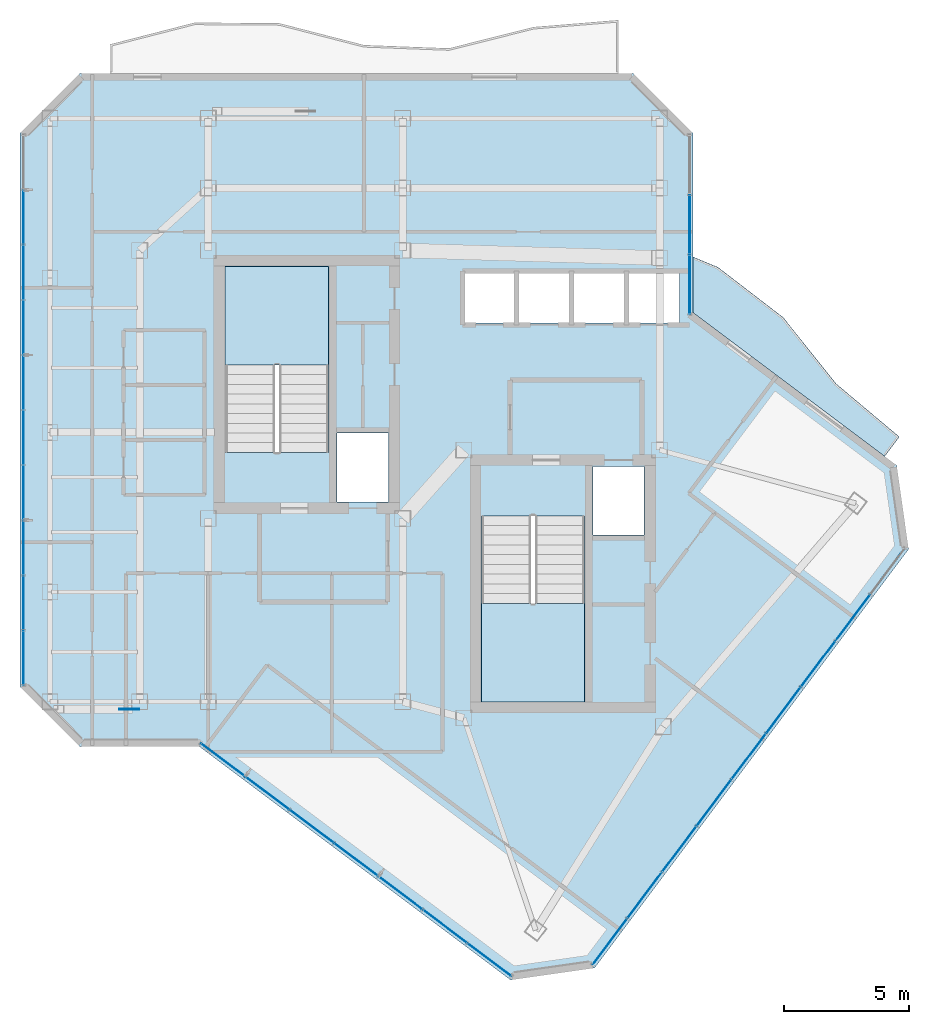
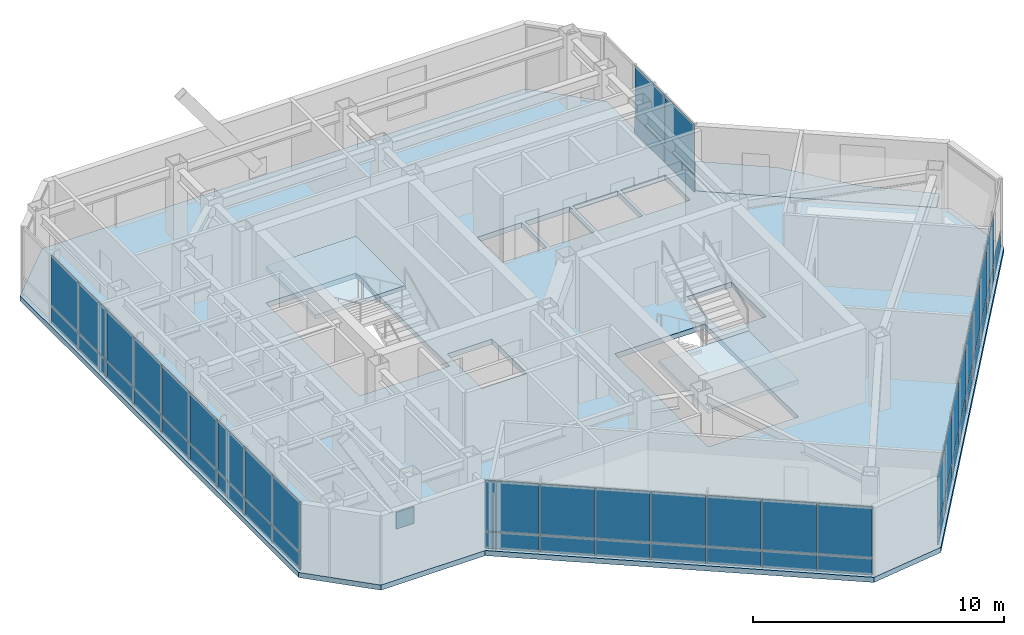
# One storey, part 16 of 22: 54 plates, 4 slabs, 6 elements without a shape of their own.
"""IFC4 building model written with IfcOpenShell, lengths in metres."""

import ifcopenshell
import ifcopenshell.guid

model = None  # the IFC model being written
_history = None  # IfcOwnerHistory: only IFC2X3 demands one
_inside = {}  # id of a spatial element -> (the spatial element, [elements in it])
_under = {}  # id of a project, library or spatial element -> (it, [spatial elements below it])
_declared = {}  # id of a project -> (the project, [libraries it declares])
_typed = {}  # id of a type object -> (the type object, [elements of that type])
_made_of = {}  # id of a material, layer set ... -> (it, [elements and type objects made of it])


def new_model(schema):
    """Start an empty IFC model of exactly this schema.

    Asked for "IFC4X3", IfcOpenShell would pick the latest addendum, in which some entities
    have other attributes; the version numbers below select the first issue.
    IFC2X3 requires an IfcOwnerHistory on every rooted entity: one is made here for all.
    """
    global model, _history
    if schema == "IFC4X3":
        model = ifcopenshell.file(schema_version=(4, 3, 0, 0))
    else:
        model = ifcopenshell.file(schema=schema)
    _inside.clear()
    _under.clear()
    _declared.clear()
    _typed.clear()
    _made_of.clear()
    _history = None
    if model.schema == "IFC2X3":
        org = make("IfcOrganization", Name="unknown")
        user = make(
            "IfcPersonAndOrganization",
            ThePerson=make("IfcPerson", FamilyName="unknown"),
            TheOrganization=org,
        )
        app = make(
            "IfcApplication",
            ApplicationDeveloper=org,
            Version="unknown",
            ApplicationFullName="unknown",
            ApplicationIdentifier="unknown",
        )
        _history = make(
            "IfcOwnerHistory",
            OwningUser=user,
            OwningApplication=app,
            ChangeAction="ADDED",
            CreationDate=0,
        )
    return model


def make(cls, **values):
    """One entity of the class cls with the attributes given. An attribute that is None is left unset."""
    return model.create_entity(
        cls, **{name: value for name, value in values.items() if value is not None}
    )


def rooted(cls, **values):
    """An entity with a GlobalId (a new one), such as an element, a storey or a relation."""
    return make(cls, GlobalId=ifcopenshell.guid.new(), OwnerHistory=_history, **values)


def si_unit(unit_type, name, prefix=None):
    """IfcSIUnit, for example si_unit("LENGTHUNIT", "METRE", prefix="MILLI")."""
    return make("IfcSIUnit", UnitType=unit_type, Prefix=prefix, Name=name)


def assignment(units):
    """IfcUnitAssignment: the units of a project."""
    return None if units is None else make("IfcUnitAssignment", Units=units)


def point(xyz):
    """IfcCartesianPoint."""
    return None if xyz is None else make("IfcCartesianPoint", Coordinates=xyz)


def direction(xyz):
    """IfcDirection."""
    return None if xyz is None else make("IfcDirection", DirectionRatios=xyz)


def frame(location, z_axis=None, x_axis=None):
    """IfcAxis2Placement3D, a coordinate frame: its origin and axes. An axis left out is left unset."""
    return make(
        "IfcAxis2Placement3D",
        Location=point(location),
        Axis=direction(z_axis),
        RefDirection=direction(x_axis),
    )


def frame_2d(location, x_axis=None):
    """IfcAxis2Placement2D, a coordinate frame in the plane: its origin and x axis."""
    return make(
        "IfcAxis2Placement2D", Location=point(location), RefDirection=direction(x_axis)
    )


def origin():
    """The frame at (0, 0, 0) with its axes left unset."""
    return frame((0.0, 0.0, 0.0))


def origin_2d():
    """The frame at (0, 0) in the plane with its x axis left unset."""
    return frame_2d((0.0, 0.0))


def place(relative_to, where):
    """IfcLocalPlacement: puts the frame where relative to a parent placement (None: the world)."""
    return make(
        "IfcLocalPlacement", PlacementRelTo=relative_to, RelativePlacement=where
    )


def context(
    kind, dimensions, precision=None, world=None, true_north=None, identifier=None
):
    """IfcGeometricRepresentationContext, for example the 3D "Model" context."""
    return make(
        "IfcGeometricRepresentationContext",
        ContextIdentifier=identifier,
        ContextType=kind,
        CoordinateSpaceDimension=dimensions,
        Precision=precision,
        WorldCoordinateSystem=world,
        TrueNorth=true_north,
    )


def subcontext(parent, identifier, kind, view, scale=None):
    """IfcGeometricRepresentationSubContext, for example "Body" below "Model"."""
    return make(
        "IfcGeometricRepresentationSubContext",
        ContextIdentifier=identifier,
        ContextType=kind,
        ParentContext=parent,
        TargetScale=scale,
        TargetView=view,
    )


def project(units=None, contexts=None):
    """IfcProject with its units and contexts."""
    return rooted(
        "IfcProject",
        Name="project",
        RepresentationContexts=contexts,
        UnitsInContext=assignment(units),
    )


def spatial(cls, under=None, at=None, **own):
    """A site, building, storey or space (cls), placed at a placement, below another one or the project."""
    s = rooted(cls, ObjectPlacement=at, **own)
    if under is not None:
        _under.setdefault(under.id(), (under, []))[1].append(s)
    return s


def polyline(points):
    """IfcPolyline through the points."""
    return make("IfcPolyline", Points=[point(p) for p in points])


def profile(cls, at=None, kind="AREA", **sizes):
    """A parametric profile (cls). Its sizes go by their IFC names, for example OverallWidth=200.0."""
    return make(cls, ProfileType=kind, Position=at, **sizes)


def rectangle(**sizes):
    """IfcRectangleProfileDef."""
    return profile("IfcRectangleProfileDef", **sizes)


def outline(outer, holes=None, kind="AREA"):
    """IfcArbitraryClosedProfileDef: a profile drawn as a closed curve; with holes, ...WithVoids."""
    if holes is None:
        return make("IfcArbitraryClosedProfileDef", ProfileType=kind, OuterCurve=outer)
    return make(
        "IfcArbitraryProfileDefWithVoids",
        ProfileType=kind,
        OuterCurve=outer,
        InnerCurves=holes,
    )


def extrude(swept, where, along, depth):
    """IfcExtrudedAreaSolid: the profile swept, set in the frame where, extruded along a direction by depth."""
    return make(
        "IfcExtrudedAreaSolid",
        SweptArea=swept,
        Position=where,
        ExtrudedDirection=direction(along),
        Depth=depth,
    )


def shape(context_of_items, identifier, shape_type, items):
    """IfcShapeRepresentation: the items that make up one representation, for example the "Body"."""
    return make(
        "IfcShapeRepresentation",
        ContextOfItems=context_of_items,
        RepresentationIdentifier=identifier,
        RepresentationType=shape_type,
        Items=items,
    )


def material(Name=None, Category=None):
    """IfcMaterial."""
    return make("IfcMaterial", Name=Name, Category=Category)


def layer(
    of_material, thickness, ventilated=None, Name=None, Category=None, Priority=None
):
    """IfcMaterialLayer: one layer of a wall or slab, of a material (None: an air gap)."""
    return make(
        "IfcMaterialLayer",
        Material=of_material,
        LayerThickness=thickness,
        IsVentilated=ventilated,
        Name=Name,
        Category=Category,
        Priority=Priority,
    )


def layer_set(layers, Name=None):
    """IfcMaterialLayerSet."""
    return make("IfcMaterialLayerSet", MaterialLayers=layers, LayerSetName=Name)


def made_of(thing, what):
    """Note that an element or type object is made of a material, layer set ...; save() writes the relation."""
    if what is not None:
        _made_of.setdefault(what.id(), (what, []))[1].append(thing)
    return thing


def type_object(cls, material=None, **own):
    """A type object (cls), such as IfcWallType, which elements share."""
    return made_of(rooted(cls, **own), material)


def element(
    cls,
    number,
    at=None,
    inside=None,
    cuts=None,
    type_object=None,
    material=None,
    context=None,
    identifier="Body",
    shape_type=None,
    held_by="IfcProductDefinitionShape",
    body=None,
    shapes=None,
    **own,
):
    """One element of the class cls, such as IfcWall. Its Tag is "e" and its number.

    at: its placement. inside: the storey or other place that contains it. cuts: it is an
    opening in that element (IfcRelVoidsElement). A single representation is given by context,
    identifier, shape_type and body (its items); several are given by shapes. held_by: the class
    of the entity that holds the representations. save() writes the other relations.
    """
    e = rooted(cls, Tag="e%d" % number, ObjectPlacement=at, **own)
    if body is not None:
        shapes = [shape(context, identifier, shape_type, body)]
    if shapes is not None:
        e.Representation = make(held_by, Representations=shapes)
    if inside is not None:
        _inside.setdefault(inside.id(), (inside, []))[1].append(e)
    if cuts is not None:
        rooted(
            "IfcRelVoidsElement", RelatingBuildingElement=cuts, RelatedOpeningElement=e
        )
    if type_object is not None:
        _typed.setdefault(type_object.id(), (type_object, []))[1].append(e)
    return made_of(e, material)


def aggregate(whole, parts):
    """IfcRelAggregates: a whole, such as a stair, and the parts it consists of."""
    return rooted("IfcRelAggregates", RelatingObject=whole, RelatedObjects=parts)


def save(model, path):
    """Write the relations noted so far, then the file.

    IfcRelAggregates (storeys below a building ...), IfcRelContainedInSpatialStructure (elements
    in a storey), IfcRelDefinesByType, IfcRelAssociatesMaterial and IfcRelDeclares: one each for
    every whole, place, type object, material and project.
    """
    for whole, parts in _under.values():
        aggregate(whole, parts)
    for where, things in _inside.values():
        rooted(
            "IfcRelContainedInSpatialStructure",
            RelatedElements=things,
            RelatingStructure=where,
        )
    for kind, things in _typed.values():
        rooted("IfcRelDefinesByType", RelatedObjects=things, RelatingType=kind)
    for what, things in _made_of.values():
        rooted("IfcRelAssociatesMaterial", RelatedObjects=things, RelatingMaterial=what)
    for by, libraries in _declared.values():
        rooted("IfcRelDeclares", RelatingContext=by, RelatedDefinitions=libraries)
    model.write(path)


model = new_model("IFC4")

# Units and contexts
model_context = context("Model", 3, precision=1e-05, world=origin(), true_north=direction((0.0, 1.0)))
body_context = subcontext(model_context, "Body", "Model", "MODEL_VIEW")
ifc_project = project(units=[si_unit("LENGTHUNIT", "METRE"), si_unit("AREAUNIT", "SQUARE_METRE"), si_unit("VOLUMEUNIT", "CUBIC_METRE"), si_unit("PLANEANGLEUNIT", "RADIAN"), si_unit("MASSUNIT", "GRAM", prefix="KILO")], contexts=[model_context])

# Site, building, storey
site_placement = place(None, origin())
site = spatial("IfcSite", under=ifc_project, at=site_placement, CompositionType="ELEMENT")
building_placement = place(site_placement, origin())
building = spatial("IfcBuilding", under=site, at=building_placement, Name="Hatsunagi Terrace Concourse", CompositionType="ELEMENT")
storey_placement = place(building_placement, frame((0.0, 0.0, 243.14990234375)))
storey = spatial("IfcBuildingStorey", under=building, at=storey_placement, Name="L64", CompositionType="ELEMENT", Elevation=243.14990234375)

# Curtain wall, plates
ifc_material_1 = material(Name="Anodised Aluminium Alloy 6063-T5", Category="aluminium")
ifc_layer_1 = layer(ifc_material_1, 0.199951171875)
ifc_layer_set_1 = layer_set([ifc_layer_1], Name="OfficeZone2_CW04")
curtain_wall_type = type_object("IfcCurtainWallType", Name="OfficeZone2_CW04", PredefinedType="NOTDEFINED", material=ifc_layer_set_1)
curtain_wall_1_placement = place(storey_placement, origin())
curtain_wall_1 = element("IfcCurtainWall", 1, at=curtain_wall_1_placement, inside=storey, type_object=curtain_wall_type, Name="Unitised Curtain Wall CW-04 CW-L64-03", PredefinedType="NOTDEFINED")
ifc_material_2 = material(Name="Warm Terracotta Ceramic Spandrel Panel", Category="masonry")
ifc_layer_2 = layer(ifc_material_2, 0.031982421875)
ifc_layer_set_2 = layer_set([ifc_layer_2], Name="CurtainWallSpandrelPanel_32")
plate_type_1 = type_object("IfcPlateType", Name="CurtainWallSpandrelPanel_32", PredefinedType="SHEET", material=ifc_layer_set_2)
plate_1_placement = place(storey_placement, frame((52.797119140625, 30.429931640625, 0.030029296875), z_axis=(0.0, 0.0, 1.0), x_axis=(-0.599969314634, -0.800023013105, 0.0)))
plate_1 = element("IfcPlate", 2, at=plate_1_placement, type_object=plate_type_1, Name="Terracotta Spandrel Panel SPN-01", PredefinedType="SHEET", context=body_context, shape_type="SweptSolid", body=[
    extrude(rectangle(XDim=2.264892578125, YDim=0.031982421875, at=origin_2d()), origin(), (0.0, 0.0, 1.0), 0.7900390625),
])
plate_2_placement = place(storey_placement, frame((51.405029296875, 28.572998046875, 0.030029296875), z_axis=(0.0, 0.0, 1.0), x_axis=(-0.599969314634, -0.800023013105, 0.0)))
plate_2 = element("IfcPlate", 3, at=plate_2_placement, type_object=plate_type_1, Name="Terracotta Spandrel Panel SPN-01", PredefinedType="SHEET", context=body_context, shape_type="SweptSolid", body=[
    extrude(rectangle(XDim=2.264892578125, YDim=0.031982421875, at=origin_2d()), origin(), (0.0, 0.0, 1.0), 0.7900390625),
])
plate_3_placement = place(storey_placement, frame((50.011962890625, 26.717041015625, 0.030029296875), z_axis=(0.0, 0.0, 1.0), x_axis=(-0.599969314634, -0.800023013105, 0.0)))
plate_3 = element("IfcPlate", 4, at=plate_3_placement, type_object=plate_type_1, Name="Terracotta Spandrel Panel SPN-01", PredefinedType="SHEET", context=body_context, shape_type="SweptSolid", body=[
    extrude(rectangle(XDim=2.264892578125, YDim=0.031982421875, at=origin_2d()), origin(), (0.0, 0.0, 1.0), 0.7900390625),
])
plate_4_placement = place(storey_placement, frame((48.6201171875, 24.860107421875, 0.030029296875), z_axis=(0.0, 0.0, 1.0), x_axis=(-0.599969314634, -0.800023013105, 0.0)))
plate_4 = element("IfcPlate", 5, at=plate_4_placement, type_object=plate_type_1, Name="Terracotta Spandrel Panel SPN-01", PredefinedType="SHEET", context=body_context, shape_type="SweptSolid", body=[
    extrude(rectangle(XDim=2.264892578125, YDim=0.031982421875, at=origin_2d()), origin(), (0.0, 0.0, 1.0), 0.7900390625),
])
plate_5_placement = place(storey_placement, frame((47.22802734375, 23.00390625, 0.030029296875), z_axis=(0.0, 0.0, 1.0), x_axis=(-0.599969314634, -0.800023013105, 0.0)))
plate_5 = element("IfcPlate", 6, at=plate_5_placement, type_object=plate_type_1, Name="Terracotta Spandrel Panel SPN-01", PredefinedType="SHEET", context=body_context, shape_type="SweptSolid", body=[
    extrude(rectangle(XDim=2.264892578125, YDim=0.031982421875, at=origin_2d()), origin(), (0.0, 0.0, 1.0), 0.7900390625),
])
plate_6_placement = place(storey_placement, frame((45.8359375, 21.14794921875, 0.030029296875), z_axis=(0.0, 0.0, 1.0), x_axis=(-0.599969314634, -0.800023013105, 0.0)))
plate_6 = element("IfcPlate", 7, at=plate_6_placement, type_object=plate_type_1, Name="Terracotta Spandrel Panel SPN-01", PredefinedType="SHEET", context=body_context, shape_type="SweptSolid", body=[
    extrude(rectangle(XDim=2.264892578125, YDim=0.031982421875, at=origin_2d()), origin(), (0.0, 0.0, 1.0), 0.7900390625),
])
plate_7_placement = place(storey_placement, frame((44.444091796875, 19.291015625, 0.030029296875), z_axis=(0.0, 0.0, 1.0), x_axis=(-0.599969314634, -0.800023013105, 0.0)))
plate_7 = element("IfcPlate", 8, at=plate_7_placement, type_object=plate_type_1, Name="Terracotta Spandrel Panel SPN-01", PredefinedType="SHEET", context=body_context, shape_type="SweptSolid", body=[
    extrude(rectangle(XDim=2.264892578125, YDim=0.031982421875, at=origin_2d()), origin(), (0.0, 0.0, 1.0), 0.7900390625),
])
plate_8_placement = place(storey_placement, frame((43.051025390625, 17.43505859375, 0.030029296875), z_axis=(0.0, 0.0, 1.0), x_axis=(-0.599969314634, -0.800023013105, 0.0)))
plate_8 = element("IfcPlate", 9, at=plate_8_placement, type_object=plate_type_1, Name="Terracotta Spandrel Panel SPN-01", PredefinedType="SHEET", context=body_context, shape_type="SweptSolid", body=[
    extrude(rectangle(XDim=2.264892578125, YDim=0.031982421875, at=origin_2d()), origin(), (0.0, 0.0, 1.0), 0.7900390625),
])
plate_9_placement = place(storey_placement, frame((41.658935546875, 15.577880859375, 0.030029296875), z_axis=(0.0, 0.0, 1.0), x_axis=(-0.599969314634, -0.800023013105, 0.0)))
plate_9 = element("IfcPlate", 10, at=plate_9_placement, type_object=plate_type_1, Name="Terracotta Spandrel Panel SPN-01", PredefinedType="SHEET", context=body_context, shape_type="SweptSolid", body=[
    extrude(rectangle(XDim=2.264892578125, YDim=0.031982421875, at=origin_2d()), origin(), (0.0, 0.0, 1.0), 0.7900390625),
])

curtain_wall_2_placement = place(storey_placement, origin())
curtain_wall_2 = element("IfcCurtainWall", 11, at=curtain_wall_2_placement, inside=storey, type_object=curtain_wall_type, Name="Unitised Curtain Wall CW-04 CW-L64-05", PredefinedType="NOTDEFINED")
plate_10_placement = place(storey_placement, frame((36.826904296875, 14.85498046875, 0.030029296875), z_axis=(0.0, 0.0, 1.0), x_axis=(-0.800007305671, 0.599990258982, 0.0)))
plate_10 = element("IfcPlate", 12, at=plate_10_placement, type_object=plate_type_1, Name="Terracotta Spandrel Panel SPN-01", PredefinedType="SHEET", context=body_context, shape_type="SweptSolid", body=[
    extrude(rectangle(XDim=2.172119140625, YDim=0.031982421875, at=origin_2d()), origin(), (0.0, 0.0, 1.0), 0.7900390625),
])
plate_11_placement = place(storey_placement, frame((35.0458984375, 16.19091796875, 0.030029296875), z_axis=(0.0, 0.0, 1.0), x_axis=(-0.800007305671, 0.599990258982, 0.0)))
plate_11 = element("IfcPlate", 13, at=plate_11_placement, type_object=plate_type_1, Name="Terracotta Spandrel Panel SPN-01", PredefinedType="SHEET", context=body_context, shape_type="SweptSolid", body=[
    extrude(rectangle(XDim=2.172119140625, YDim=0.031982421875, at=origin_2d()), origin(), (0.0, 0.0, 1.0), 0.7900390625),
])
plate_12_placement = place(storey_placement, frame((33.263916015625, 17.527099609375, 0.030029296875), z_axis=(0.0, 0.0, 1.0), x_axis=(-0.800007305671, 0.599990258982, 0.0)))
plate_12 = element("IfcPlate", 14, at=plate_12_placement, type_object=plate_type_1, Name="Terracotta Spandrel Panel SPN-01", PredefinedType="SHEET", context=body_context, shape_type="SweptSolid", body=[
    extrude(rectangle(XDim=2.172119140625, YDim=0.031982421875, at=origin_2d()), origin(), (0.0, 0.0, 1.0), 0.7900390625),
])
plate_13_placement = place(storey_placement, frame((31.48291015625, 18.863037109375, 0.030029296875), z_axis=(0.0, 0.0, 1.0), x_axis=(-0.800007305671, 0.599990258982, 0.0)))
plate_13 = element("IfcPlate", 15, at=plate_13_placement, type_object=plate_type_1, Name="Terracotta Spandrel Panel SPN-01", PredefinedType="SHEET", context=body_context, shape_type="SweptSolid", body=[
    extrude(rectangle(XDim=2.172119140625, YDim=0.031982421875, at=origin_2d()), origin(), (0.0, 0.0, 1.0), 0.7900390625),
])
plate_14_placement = place(storey_placement, frame((29.700927734375, 20.199951171875, 0.030029296875), z_axis=(0.0, 0.0, 1.0), x_axis=(-0.800007305671, 0.599990258982, 0.0)))
plate_14 = element("IfcPlate", 16, at=plate_14_placement, type_object=plate_type_1, Name="Terracotta Spandrel Panel SPN-01", PredefinedType="SHEET", context=body_context, shape_type="SweptSolid", body=[
    extrude(rectangle(XDim=2.172119140625, YDim=0.031982421875, at=origin_2d()), origin(), (0.0, 0.0, 1.0), 0.7900390625),
])
plate_15_placement = place(storey_placement, frame((27.9189453125, 21.535888671875, 0.030029296875), z_axis=(0.0, 0.0, 1.0), x_axis=(-0.800007305671, 0.599990258982, 0.0)))
plate_15 = element("IfcPlate", 17, at=plate_15_placement, type_object=plate_type_1, Name="Terracotta Spandrel Panel SPN-01", PredefinedType="SHEET", context=body_context, shape_type="SweptSolid", body=[
    extrude(rectangle(XDim=2.172119140625, YDim=0.031982421875, at=origin_2d()), origin(), (0.0, 0.0, 1.0), 0.7900390625),
])
plate_16_placement = place(storey_placement, frame((26.137939453125, 22.8720703125, 0.030029296875), z_axis=(0.0, 0.0, 1.0), x_axis=(-0.800007305671, 0.599990258982, 0.0)))
plate_16 = element("IfcPlate", 18, at=plate_16_placement, type_object=plate_type_1, Name="Terracotta Spandrel Panel SPN-01", PredefinedType="SHEET", context=body_context, shape_type="SweptSolid", body=[
    extrude(rectangle(XDim=2.172119140625, YDim=0.031982421875, at=origin_2d()), origin(), (0.0, 0.0, 1.0), 0.7900390625),
])

curtain_wall_3_placement = place(storey_placement, origin())
curtain_wall_3 = element("IfcCurtainWall", 19, at=curtain_wall_3_placement, inside=storey, type_object=curtain_wall_type, Name="Unitised Curtain Wall CW-04 CW-L64-08", PredefinedType="NOTDEFINED")
plate_17_placement = place(storey_placement, frame((18.139892578125, 26.9619140625, 0.030029296875), z_axis=(0.0, 0.0, 1.0), x_axis=(0.0, 1.0, 0.0)))
plate_17 = element("IfcPlate", 20, at=plate_17_placement, type_object=plate_type_1, Name="Terracotta Spandrel Panel SPN-01", PredefinedType="SHEET", context=body_context, shape_type="SweptSolid", body=[
    extrude(rectangle(XDim=2.153076171875, YDim=0.031982421875, at=origin_2d()), origin(), (0.0, 0.0, 1.0), 0.7900390625),
])
plate_18_placement = place(storey_placement, frame((18.139892578125, 29.1708984375, 0.030029296875), z_axis=(0.0, 0.0, 1.0), x_axis=(0.0, 1.0, 0.0)))
plate_18 = element("IfcPlate", 21, at=plate_18_placement, type_object=plate_type_1, Name="Terracotta Spandrel Panel SPN-01", PredefinedType="SHEET", context=body_context, shape_type="SweptSolid", body=[
    extrude(rectangle(XDim=2.153076171875, YDim=0.031982421875, at=origin_2d()), origin(), (0.0, 0.0, 1.0), 0.7900390625),
])
plate_19_placement = place(storey_placement, frame((18.139892578125, 31.37890625, 0.030029296875), z_axis=(0.0, 0.0, 1.0), x_axis=(0.0, 1.0, 0.0)))
plate_19 = element("IfcPlate", 22, at=plate_19_placement, type_object=plate_type_1, Name="Terracotta Spandrel Panel SPN-01", PredefinedType="SHEET", context=body_context, shape_type="SweptSolid", body=[
    extrude(rectangle(XDim=2.153076171875, YDim=0.031982421875, at=origin_2d()), origin(), (0.0, 0.0, 1.0), 0.7900390625),
])
plate_20_placement = place(storey_placement, frame((18.139892578125, 33.5869140625, 0.030029296875), z_axis=(0.0, 0.0, 1.0), x_axis=(0.0, 1.0, 0.0)))
plate_20 = element("IfcPlate", 23, at=plate_20_placement, type_object=plate_type_1, Name="Terracotta Spandrel Panel SPN-01", PredefinedType="SHEET", context=body_context, shape_type="SweptSolid", body=[
    extrude(rectangle(XDim=2.153076171875, YDim=0.031982421875, at=origin_2d()), origin(), (0.0, 0.0, 1.0), 0.7900390625),
])
plate_21_placement = place(storey_placement, frame((18.139892578125, 35.7958984375, 0.030029296875), z_axis=(0.0, 0.0, 1.0), x_axis=(0.0, 1.0, 0.0)))
plate_21 = element("IfcPlate", 24, at=plate_21_placement, type_object=plate_type_1, Name="Terracotta Spandrel Panel SPN-01", PredefinedType="SHEET", context=body_context, shape_type="SweptSolid", body=[
    extrude(rectangle(XDim=2.153076171875, YDim=0.031982421875, at=origin_2d()), origin(), (0.0, 0.0, 1.0), 0.7900390625),
])
plate_22_placement = place(storey_placement, frame((18.139892578125, 38.00390625, 0.030029296875), z_axis=(0.0, 0.0, 1.0), x_axis=(0.0, 1.0, 0.0)))
plate_22 = element("IfcPlate", 25, at=plate_22_placement, type_object=plate_type_1, Name="Terracotta Spandrel Panel SPN-01", PredefinedType="SHEET", context=body_context, shape_type="SweptSolid", body=[
    extrude(rectangle(XDim=2.153076171875, YDim=0.031982421875, at=origin_2d()), origin(), (0.0, 0.0, 1.0), 0.7900390625),
])
plate_23_placement = place(storey_placement, frame((18.139892578125, 40.212890625, 0.030029296875), z_axis=(0.0, 0.0, 1.0), x_axis=(0.0, 1.0, 0.0)))
plate_23 = element("IfcPlate", 26, at=plate_23_placement, type_object=plate_type_1, Name="Terracotta Spandrel Panel SPN-01", PredefinedType="SHEET", context=body_context, shape_type="SweptSolid", body=[
    extrude(rectangle(XDim=2.153076171875, YDim=0.031982421875, at=origin_2d()), origin(), (0.0, 0.0, 1.0), 0.7900390625),
])
plate_24_placement = place(storey_placement, frame((18.139892578125, 42.4208984375, 0.030029296875), z_axis=(0.0, 0.0, 1.0), x_axis=(0.0, 1.0, 0.0)))
plate_24 = element("IfcPlate", 27, at=plate_24_placement, type_object=plate_type_1, Name="Terracotta Spandrel Panel SPN-01", PredefinedType="SHEET", context=body_context, shape_type="SweptSolid", body=[
    extrude(rectangle(XDim=2.153076171875, YDim=0.031982421875, at=origin_2d()), origin(), (0.0, 0.0, 1.0), 0.7900390625),
])
plate_25_placement = place(storey_placement, frame((18.139892578125, 44.62890625, 0.030029296875), z_axis=(0.0, 0.0, 1.0), x_axis=(0.0, 1.0, 0.0)))
plate_25 = element("IfcPlate", 28, at=plate_25_placement, type_object=plate_type_1, Name="Terracotta Spandrel Panel SPN-01", PredefinedType="SHEET", context=body_context, shape_type="SweptSolid", body=[
    extrude(rectangle(XDim=2.153076171875, YDim=0.031982421875, at=origin_2d()), origin(), (0.0, 0.0, 1.0), 0.7900390625),
])

curtain_wall_4_placement = place(storey_placement, origin())
curtain_wall_4 = element("IfcCurtainWall", 29, at=curtain_wall_4_placement, inside=storey, type_object=curtain_wall_type, Name="Unitised Curtain Wall CW-04 CW-L64-12", PredefinedType="NOTDEFINED")
plate_26_placement = place(storey_placement, frame((44.860107421875, 44.3359375, 0.030029296875), z_axis=(0.0, 0.0, 1.0), x_axis=(0.0, -1.0, 0.0)))
plate_26 = element("IfcPlate", 30, at=plate_26_placement, type_object=plate_type_1, Name="Terracotta Spandrel Panel SPN-01", PredefinedType="SHEET", context=body_context, shape_type="SweptSolid", body=[
    extrude(rectangle(XDim=2.34912109375, YDim=0.031982421875, at=origin_2d()), origin(), (0.0, 0.0, 1.0), 0.7900390625),
])
plate_27_placement = place(storey_placement, frame((44.860107421875, 41.931884765625, 0.030029296875), z_axis=(0.0, 0.0, 1.0), x_axis=(0.0, -1.0, 0.0)))
plate_27 = element("IfcPlate", 31, at=plate_27_placement, type_object=plate_type_1, Name="Terracotta Spandrel Panel SPN-01", PredefinedType="SHEET", context=body_context, shape_type="SweptSolid", body=[
    extrude(rectangle(XDim=2.34912109375, YDim=0.031982421875, at=origin_2d()), origin(), (0.0, 0.0, 1.0), 0.7900390625),
])

# Plate
ifc_material_3 = material(Name="Low-E Double Insulating Glass 28mm", Category="glass")
ifc_layer_3 = layer(ifc_material_3, 0.028076171875)
ifc_layer_set_3 = layer_set([ifc_layer_3], Name="CurtainWallVisionGlass_28")
plate_type_2 = type_object("IfcPlateType", Name="CurtainWallVisionGlass_28", PredefinedType="CURTAIN_PANEL", material=ifc_layer_set_3)
plate_28_placement = place(storey_placement, frame((51.405029296875, 28.572998046875, 0.880126953125), z_axis=(0.0, 0.0, 1.0), x_axis=(-0.599969314634, -0.800023013105, 0.0)))
plate_28 = element("IfcPlate", 32, at=plate_28_placement, type_object=plate_type_2, Name="Low-E Vision Glass Panel GLZ-01", PredefinedType="CURTAIN_PANEL", context=body_context, shape_type="SweptSolid", body=[
    extrude(rectangle(XDim=2.264892578125, YDim=0.028076171875, at=origin_2d()), origin(), (0.0, 0.0, 1.0), 2.43994140625),
])

plate_29_placement = place(storey_placement, frame((50.011962890625, 26.717041015625, 0.880126953125), z_axis=(0.0, 0.0, 1.0), x_axis=(-0.599969314634, -0.800023013105, 0.0)))
plate_29 = element("IfcPlate", 33, at=plate_29_placement, type_object=plate_type_2, Name="Low-E Vision Glass Panel GLZ-01", PredefinedType="CURTAIN_PANEL", context=body_context, shape_type="SweptSolid", body=[
    extrude(rectangle(XDim=2.264892578125, YDim=0.028076171875, at=origin_2d()), origin(), (0.0, 0.0, 1.0), 2.43994140625),
])

plate_30_placement = place(storey_placement, frame((48.6201171875, 24.860107421875, 0.880126953125), z_axis=(0.0, 0.0, 1.0), x_axis=(-0.599969314634, -0.800023013105, 0.0)))
plate_30 = element("IfcPlate", 34, at=plate_30_placement, type_object=plate_type_2, Name="Low-E Vision Glass Panel GLZ-01", PredefinedType="CURTAIN_PANEL", context=body_context, shape_type="SweptSolid", body=[
    extrude(rectangle(XDim=2.264892578125, YDim=0.028076171875, at=origin_2d()), origin(), (0.0, 0.0, 1.0), 2.43994140625),
])

plate_31_placement = place(storey_placement, frame((47.22802734375, 23.00390625, 0.880126953125), z_axis=(0.0, 0.0, 1.0), x_axis=(-0.599969314634, -0.800023013105, 0.0)))
plate_31 = element("IfcPlate", 35, at=plate_31_placement, type_object=plate_type_2, Name="Low-E Vision Glass Panel GLZ-01", PredefinedType="CURTAIN_PANEL", context=body_context, shape_type="SweptSolid", body=[
    extrude(rectangle(XDim=2.264892578125, YDim=0.028076171875, at=origin_2d()), origin(), (0.0, 0.0, 1.0), 2.43994140625),
])

plate_32_placement = place(storey_placement, frame((45.8359375, 21.14794921875, 0.880126953125), z_axis=(0.0, 0.0, 1.0), x_axis=(-0.599969314634, -0.800023013105, 0.0)))
plate_32 = element("IfcPlate", 36, at=plate_32_placement, type_object=plate_type_2, Name="Low-E Vision Glass Panel GLZ-01", PredefinedType="CURTAIN_PANEL", context=body_context, shape_type="SweptSolid", body=[
    extrude(rectangle(XDim=2.264892578125, YDim=0.028076171875, at=origin_2d()), origin(), (0.0, 0.0, 1.0), 2.43994140625),
])

plate_33_placement = place(storey_placement, frame((44.444091796875, 19.291015625, 0.880126953125), z_axis=(0.0, 0.0, 1.0), x_axis=(-0.599969314634, -0.800023013105, 0.0)))
plate_33 = element("IfcPlate", 37, at=plate_33_placement, type_object=plate_type_2, Name="Low-E Vision Glass Panel GLZ-01", PredefinedType="CURTAIN_PANEL", context=body_context, shape_type="SweptSolid", body=[
    extrude(rectangle(XDim=2.264892578125, YDim=0.028076171875, at=origin_2d()), origin(), (0.0, 0.0, 1.0), 2.43994140625),
])

plate_34_placement = place(storey_placement, frame((43.051025390625, 17.43505859375, 0.880126953125), z_axis=(0.0, 0.0, 1.0), x_axis=(-0.599969314634, -0.800023013105, 0.0)))
plate_34 = element("IfcPlate", 38, at=plate_34_placement, type_object=plate_type_2, Name="Low-E Vision Glass Panel GLZ-01", PredefinedType="CURTAIN_PANEL", context=body_context, shape_type="SweptSolid", body=[
    extrude(rectangle(XDim=2.264892578125, YDim=0.028076171875, at=origin_2d()), origin(), (0.0, 0.0, 1.0), 2.43994140625),
])

plate_35_placement = place(storey_placement, frame((41.658935546875, 15.577880859375, 0.880126953125), z_axis=(0.0, 0.0, 1.0), x_axis=(-0.599969314634, -0.800023013105, 0.0)))
plate_35 = element("IfcPlate", 39, at=plate_35_placement, type_object=plate_type_2, Name="Low-E Vision Glass Panel GLZ-01", PredefinedType="CURTAIN_PANEL", context=body_context, shape_type="SweptSolid", body=[
    extrude(rectangle(XDim=2.264892578125, YDim=0.028076171875, at=origin_2d()), origin(), (0.0, 0.0, 1.0), 2.43994140625),
])

aggregate(curtain_wall_1, [plate_1, plate_2, plate_28, plate_3, plate_29, plate_4, plate_30, plate_5, plate_31, plate_6, plate_32, plate_7, plate_33, plate_8, plate_34, plate_9, plate_35])

plate_36_placement = place(storey_placement, frame((36.826904296875, 14.85498046875, 0.880126953125), z_axis=(0.0, 0.0, 1.0), x_axis=(-0.800007305671, 0.599990258982, 0.0)))
plate_36 = element("IfcPlate", 40, at=plate_36_placement, type_object=plate_type_2, Name="Low-E Vision Glass Panel GLZ-01", PredefinedType="CURTAIN_PANEL", context=body_context, shape_type="SweptSolid", body=[
    extrude(rectangle(XDim=2.172119140625, YDim=0.028076171875, at=origin_2d()), origin(), (0.0, 0.0, 1.0), 2.43994140625),
])

plate_37_placement = place(storey_placement, frame((35.0458984375, 16.19091796875, 0.880126953125), z_axis=(0.0, 0.0, 1.0), x_axis=(-0.800007305671, 0.599990258982, 0.0)))
plate_37 = element("IfcPlate", 41, at=plate_37_placement, type_object=plate_type_2, Name="Low-E Vision Glass Panel GLZ-01", PredefinedType="CURTAIN_PANEL", context=body_context, shape_type="SweptSolid", body=[
    extrude(rectangle(XDim=2.172119140625, YDim=0.028076171875, at=origin_2d()), origin(), (0.0, 0.0, 1.0), 2.43994140625),
])

plate_38_placement = place(storey_placement, frame((33.263916015625, 17.527099609375, 0.880126953125), z_axis=(0.0, 0.0, 1.0), x_axis=(-0.800007305671, 0.599990258982, 0.0)))
plate_38 = element("IfcPlate", 42, at=plate_38_placement, type_object=plate_type_2, Name="Low-E Vision Glass Panel GLZ-01", PredefinedType="CURTAIN_PANEL", context=body_context, shape_type="SweptSolid", body=[
    extrude(rectangle(XDim=2.172119140625, YDim=0.028076171875, at=origin_2d()), origin(), (0.0, 0.0, 1.0), 2.43994140625),
])

plate_39_placement = place(storey_placement, frame((31.48291015625, 18.863037109375, 0.880126953125), z_axis=(0.0, 0.0, 1.0), x_axis=(-0.800007305671, 0.599990258982, 0.0)))
plate_39 = element("IfcPlate", 43, at=plate_39_placement, type_object=plate_type_2, Name="Low-E Vision Glass Panel GLZ-01", PredefinedType="CURTAIN_PANEL", context=body_context, shape_type="SweptSolid", body=[
    extrude(rectangle(XDim=2.172119140625, YDim=0.028076171875, at=origin_2d()), origin(), (0.0, 0.0, 1.0), 2.43994140625),
])

plate_40_placement = place(storey_placement, frame((29.700927734375, 20.199951171875, 0.880126953125), z_axis=(0.0, 0.0, 1.0), x_axis=(-0.800007305671, 0.599990258982, 0.0)))
plate_40 = element("IfcPlate", 44, at=plate_40_placement, type_object=plate_type_2, Name="Low-E Vision Glass Panel GLZ-01", PredefinedType="CURTAIN_PANEL", context=body_context, shape_type="SweptSolid", body=[
    extrude(rectangle(XDim=2.172119140625, YDim=0.028076171875, at=origin_2d()), origin(), (0.0, 0.0, 1.0), 2.43994140625),
])

plate_41_placement = place(storey_placement, frame((27.9189453125, 21.535888671875, 0.880126953125), z_axis=(0.0, 0.0, 1.0), x_axis=(-0.800007305671, 0.599990258982, 0.0)))
plate_41 = element("IfcPlate", 45, at=plate_41_placement, type_object=plate_type_2, Name="Low-E Vision Glass Panel GLZ-01", PredefinedType="CURTAIN_PANEL", context=body_context, shape_type="SweptSolid", body=[
    extrude(rectangle(XDim=2.172119140625, YDim=0.028076171875, at=origin_2d()), origin(), (0.0, 0.0, 1.0), 2.43994140625),
])

plate_42_placement = place(storey_placement, frame((26.137939453125, 22.8720703125, 0.880126953125), z_axis=(0.0, 0.0, 1.0), x_axis=(-0.800007305671, 0.599990258982, 0.0)))
plate_42 = element("IfcPlate", 46, at=plate_42_placement, type_object=plate_type_2, Name="Low-E Vision Glass Panel GLZ-01", PredefinedType="CURTAIN_PANEL", context=body_context, shape_type="SweptSolid", body=[
    extrude(rectangle(XDim=2.172119140625, YDim=0.028076171875, at=origin_2d()), origin(), (0.0, 0.0, 1.0), 2.43994140625),
])

aggregate(curtain_wall_2, [plate_10, plate_36, plate_11, plate_37, plate_12, plate_38, plate_13, plate_39, plate_14, plate_40, plate_15, plate_41, plate_16, plate_42])

plate_43_placement = place(storey_placement, frame((18.139892578125, 26.9619140625, 0.880126953125), z_axis=(0.0, 0.0, 1.0), x_axis=(0.0, 1.0, 0.0)))
plate_43 = element("IfcPlate", 47, at=plate_43_placement, type_object=plate_type_2, Name="Low-E Vision Glass Panel GLZ-01", PredefinedType="CURTAIN_PANEL", context=body_context, shape_type="SweptSolid", body=[
    extrude(rectangle(XDim=2.153076171875, YDim=0.028076171875, at=origin_2d()), origin(), (0.0, 0.0, 1.0), 2.43994140625),
])

plate_44_placement = place(storey_placement, frame((18.139892578125, 29.1708984375, 0.880126953125), z_axis=(0.0, 0.0, 1.0), x_axis=(0.0, 1.0, 0.0)))
plate_44 = element("IfcPlate", 48, at=plate_44_placement, type_object=plate_type_2, Name="Low-E Vision Glass Panel GLZ-01", PredefinedType="CURTAIN_PANEL", context=body_context, shape_type="SweptSolid", body=[
    extrude(rectangle(XDim=2.153076171875, YDim=0.028076171875, at=origin_2d()), origin(), (0.0, 0.0, 1.0), 2.43994140625),
])

plate_45_placement = place(storey_placement, frame((18.139892578125, 31.37890625, 0.880126953125), z_axis=(0.0, 0.0, 1.0), x_axis=(0.0, 1.0, 0.0)))
plate_45 = element("IfcPlate", 49, at=plate_45_placement, type_object=plate_type_2, Name="Low-E Vision Glass Panel GLZ-01", PredefinedType="CURTAIN_PANEL", context=body_context, shape_type="SweptSolid", body=[
    extrude(rectangle(XDim=2.153076171875, YDim=0.028076171875, at=origin_2d()), origin(), (0.0, 0.0, 1.0), 2.43994140625),
])

plate_46_placement = place(storey_placement, frame((18.139892578125, 33.5869140625, 0.880126953125), z_axis=(0.0, 0.0, 1.0), x_axis=(0.0, 1.0, 0.0)))
plate_46 = element("IfcPlate", 50, at=plate_46_placement, type_object=plate_type_2, Name="Low-E Vision Glass Panel GLZ-01", PredefinedType="CURTAIN_PANEL", context=body_context, shape_type="SweptSolid", body=[
    extrude(rectangle(XDim=2.153076171875, YDim=0.028076171875, at=origin_2d()), origin(), (0.0, 0.0, 1.0), 2.43994140625),
])

plate_47_placement = place(storey_placement, frame((18.139892578125, 35.7958984375, 0.880126953125), z_axis=(0.0, 0.0, 1.0), x_axis=(0.0, 1.0, 0.0)))
plate_47 = element("IfcPlate", 51, at=plate_47_placement, type_object=plate_type_2, Name="Low-E Vision Glass Panel GLZ-01", PredefinedType="CURTAIN_PANEL", context=body_context, shape_type="SweptSolid", body=[
    extrude(rectangle(XDim=2.153076171875, YDim=0.028076171875, at=origin_2d()), origin(), (0.0, 0.0, 1.0), 2.43994140625),
])

plate_48_placement = place(storey_placement, frame((18.139892578125, 38.00390625, 0.880126953125), z_axis=(0.0, 0.0, 1.0), x_axis=(0.0, 1.0, 0.0)))
plate_48 = element("IfcPlate", 52, at=plate_48_placement, type_object=plate_type_2, Name="Low-E Vision Glass Panel GLZ-01", PredefinedType="CURTAIN_PANEL", context=body_context, shape_type="SweptSolid", body=[
    extrude(rectangle(XDim=2.153076171875, YDim=0.028076171875, at=origin_2d()), origin(), (0.0, 0.0, 1.0), 2.43994140625),
])

plate_49_placement = place(storey_placement, frame((18.139892578125, 40.212890625, 0.880126953125), z_axis=(0.0, 0.0, 1.0), x_axis=(0.0, 1.0, 0.0)))
plate_49 = element("IfcPlate", 53, at=plate_49_placement, type_object=plate_type_2, Name="Low-E Vision Glass Panel GLZ-01", PredefinedType="CURTAIN_PANEL", context=body_context, shape_type="SweptSolid", body=[
    extrude(rectangle(XDim=2.153076171875, YDim=0.028076171875, at=origin_2d()), origin(), (0.0, 0.0, 1.0), 2.43994140625),
])

plate_50_placement = place(storey_placement, frame((18.139892578125, 42.4208984375, 0.880126953125), z_axis=(0.0, 0.0, 1.0), x_axis=(0.0, 1.0, 0.0)))
plate_50 = element("IfcPlate", 54, at=plate_50_placement, type_object=plate_type_2, Name="Low-E Vision Glass Panel GLZ-01", PredefinedType="CURTAIN_PANEL", context=body_context, shape_type="SweptSolid", body=[
    extrude(rectangle(XDim=2.153076171875, YDim=0.028076171875, at=origin_2d()), origin(), (0.0, 0.0, 1.0), 2.43994140625),
])

plate_51_placement = place(storey_placement, frame((18.139892578125, 44.62890625, 0.880126953125), z_axis=(0.0, 0.0, 1.0), x_axis=(0.0, 1.0, 0.0)))
plate_51 = element("IfcPlate", 55, at=plate_51_placement, type_object=plate_type_2, Name="Low-E Vision Glass Panel GLZ-01", PredefinedType="CURTAIN_PANEL", context=body_context, shape_type="SweptSolid", body=[
    extrude(rectangle(XDim=2.153076171875, YDim=0.028076171875, at=origin_2d()), origin(), (0.0, 0.0, 1.0), 2.43994140625),
])

aggregate(curtain_wall_3, [plate_17, plate_43, plate_18, plate_44, plate_19, plate_45, plate_20, plate_46, plate_21, plate_47, plate_22, plate_48, plate_23, plate_49, plate_24, plate_50, plate_25, plate_51])

plate_52_placement = place(storey_placement, frame((44.860107421875, 44.3359375, 0.880126953125), z_axis=(0.0, 0.0, 1.0), x_axis=(0.0, -1.0, 0.0)))
plate_52 = element("IfcPlate", 56, at=plate_52_placement, type_object=plate_type_2, Name="Low-E Vision Glass Panel GLZ-01", PredefinedType="CURTAIN_PANEL", context=body_context, shape_type="SweptSolid", body=[
    extrude(rectangle(XDim=2.34912109375, YDim=0.028076171875, at=origin_2d()), origin(), (0.0, 0.0, 1.0), 2.43994140625),
])

plate_53_placement = place(storey_placement, frame((44.860107421875, 41.931884765625, 0.880126953125), z_axis=(0.0, 0.0, 1.0), x_axis=(0.0, -1.0, 0.0)))
plate_53 = element("IfcPlate", 57, at=plate_53_placement, type_object=plate_type_2, Name="Low-E Vision Glass Panel GLZ-01", PredefinedType="CURTAIN_PANEL", context=body_context, shape_type="SweptSolid", body=[
    extrude(rectangle(XDim=2.34912109375, YDim=0.028076171875, at=origin_2d()), origin(), (0.0, 0.0, 1.0), 2.43994140625),
])

aggregate(curtain_wall_4, [plate_26, plate_52, plate_27, plate_53])

# Stair, slab
ifc_material_4 = material(Name="Concrete Fc42", Category="concrete")
stair_type = type_object("IfcStairType", Name="DoglegExitStair_Tower2000_20R_180", PredefinedType="HALF_TURN_STAIR", material=ifc_material_4)
stair_1_placement = place(storey_placement, origin())
stair_1 = element("IfcStair", 58, at=stair_1_placement, inside=storey, type_object=stair_type, Name="L64 Core A Protected Exit Stair ST-A", PredefinedType="HALF_TURN_STAIR")
ifc_material_5 = material(Name="Concrete Fc42", Category="concrete")
ifc_layer_4 = layer(ifc_material_5, 0.199951171875)
ifc_layer_set_4 = layer_set([ifc_layer_4], Name="DoglegStairLanding_Tower2000")
slab_type_1 = type_object("IfcSlabType", Name="DoglegStairLanding_Tower2000", PredefinedType="LANDING", material=ifc_layer_set_4)
slab_1_placement = place(storey_placement, frame((0.0, 0.0, 1.60009765625)))
slab_1 = element("IfcSlab", 59, at=slab_1_placement, type_object=slab_type_1, Name="ST-A landing 1", PredefinedType="LANDING", context=body_context, shape_type="SweptSolid", body=[
    extrude(outline(polyline([(30.3798828125, 38.7099609375), (30.3798828125, 42.659912109375), (26.22998046875, 42.659912109375), (26.22998046875, 38.7099609375), (30.3798828125, 38.7099609375)])), origin(), (0.0, 0.0, 1.0), 0.199951171875),
])
aggregate(stair_1, [slab_1])

stair_2_placement = place(storey_placement, origin())
stair_2 = element("IfcStair", 60, at=stair_2_placement, inside=storey, type_object=stair_type, Name="L64 Core B Protected Exit Stair ST-B", PredefinedType="HALF_TURN_STAIR")
slab_2_placement = place(storey_placement, frame((0.0, 0.0, 1.60009765625)))
slab_2 = element("IfcSlab", 61, at=slab_2_placement, type_object=slab_type_1, Name="ST-B landing 1", PredefinedType="LANDING", context=body_context, shape_type="SweptSolid", body=[
    extrude(outline(polyline([(36.5, 29.14990234375), (36.5, 25.199951171875), (40.64990234375, 25.199951171875), (40.64990234375, 29.14990234375), (36.5, 29.14990234375)])), origin(), (0.0, 0.0, 1.0), 0.199951171875),
])
aggregate(stair_2, [slab_2])

# Slabs
ifc_material_6 = material(Name="Concrete Fc42", Category="concrete")
ifc_layer_5 = layer(ifc_material_6, 0.199951171875)
ifc_layer_set_5 = layer_set([ifc_layer_5], Name="EngawaBalconySlab_Fc42_200")
slab_type_2 = type_object("IfcSlabType", Name="EngawaBalconySlab_Fc42_200", PredefinedType="FLOOR", material=ifc_layer_set_5)
slab_3_placement = place(storey_placement, frame((0.0, 0.0, -0.199951171875)))
element("IfcSlab", 62, at=slab_3_placement, inside=storey, type_object=slab_type_2, Name="Engawa Balcony Slab BAL-L64-BSE", PredefinedType="FLOOR", context=body_context, shape_type="SweptSolid", body=[
    extrude(outline(polyline([(45.9951171875, 42.626953125), (44.99609375, 43.041015625), (44.99609375, 40.802978515625), (52.679931640625, 35.0400390625), (53.26904296875, 35.824951171875), (50.738037109375, 37.950927734375), (48.611083984375, 40.614013671875), (45.9951171875, 42.626953125)])), origin(), (0.0, 0.0, 1.0), 0.199951171875),
])
ifc_material_7 = material(Name="Concrete Fc42", Category="concrete")
ifc_layer_6 = layer(ifc_material_7, 0.25)
ifc_layer_set_6 = layer_set([ifc_layer_6], Name="OfficeCrownSlab_Fc42_250")
slab_type_3 = type_object("IfcSlabType", Name="OfficeCrownSlab_Fc42_250", PredefinedType="FLOOR", material=ifc_layer_set_6)
slab_4_placement = place(storey_placement, frame((0.0, 0.0, -0.25)))
element("IfcSlab", 63, at=slab_4_placement, inside=storey, type_object=slab_type_3, Name="Floor Slab SL-250 L64", PredefinedType="FLOOR", context=body_context, shape_type="SweptSolid", body=[
    extrude(outline(polyline([(45.0, 40.800048828125), (45.0, 48.0), (42.60009765625, 50.39990234375), (20.39990234375, 50.39990234375), (18.0, 48.0), (18.0, 25.800048828125), (20.39990234375, 23.39990234375), (25.199951171875, 23.39990234375), (37.679931640625, 14.0400390625), (41.0400390625, 14.52001953125), (53.639892578125, 31.320068359375), (53.159912109375, 34.679931640625), (45.0, 40.800048828125)]), holes=[polyline([(26.22998046875, 35.205078125), (30.3798828125, 35.205078125), (30.3798828125, 42.659912109375), (26.22998046875, 42.659912109375), (26.22998046875, 35.205078125)]), polyline([(36.5, 25.199951171875), (40.64990234375, 25.199951171875), (40.64990234375, 32.655029296875), (36.5, 32.655029296875), (36.5, 25.199951171875)]), polyline([(30.719970703125, 33.219970703125), (32.780029296875, 33.219970703125), (32.780029296875, 35.97998046875), (30.719970703125, 35.97998046875), (30.719970703125, 33.219970703125)]), polyline([(40.97998046875, 31.8798828125), (43.02001953125, 31.8798828125), (43.02001953125, 34.639892578125), (40.97998046875, 34.639892578125), (40.97998046875, 31.8798828125)]), polyline([(35.800048828125, 40.39990234375), (37.85009765625, 40.39990234375), (37.85009765625, 42.39990234375), (35.800048828125, 42.39990234375), (35.800048828125, 40.39990234375)]), polyline([(38.0, 40.39990234375), (40.050048828125, 40.39990234375), (40.050048828125, 42.39990234375), (38.0, 42.39990234375), (38.0, 40.39990234375)]), polyline([(40.199951171875, 40.39990234375), (42.25, 40.39990234375), (42.25, 42.39990234375), (40.199951171875, 42.39990234375), (40.199951171875, 40.39990234375)]), polyline([(42.39990234375, 40.39990234375), (44.449951171875, 40.39990234375), (44.449951171875, 42.39990234375), (42.39990234375, 42.39990234375), (42.39990234375, 40.39990234375)])]), origin(), (0.0, 0.0, 1.0), 0.25),
])

# Plate
ifc_material_8 = material(Name="Steel SN490C", Category="steel")
ifc_layer_7 = layer(ifc_material_8, 0.031982421875)
ifc_layer_set_7 = layer_set([ifc_layer_7], Name="XBraceNodeCapPlate_32")
plate_type_3 = type_object("IfcPlateType", Name="XBraceNodeCapPlate_32", PredefinedType="USERDEFINED", material=ifc_layer_set_7)
plate_54_placement = place(storey_placement, frame((22.375, 24.89990234375, 1.27490234375), z_axis=(0.0, 0.0, 1.0), x_axis=(1.0, 0.0, 0.0)))
element("IfcPlate", 64, at=plate_54_placement, inside=storey, type_object=plate_type_3, Name="X-Brace Crossing Gusset Node Plate GP-02 XB-L63-W1", ObjectType="GUSSET_PLATE", PredefinedType="USERDEFINED", context=body_context, shape_type="SweptSolid", body=[
    extrude(rectangle(XDim=0.800048828125, YDim=0.031982421875, at=origin_2d()), origin(), (0.0, 0.0, 1.0), 0.800048828125),
])

save(model, "model.ifc")
